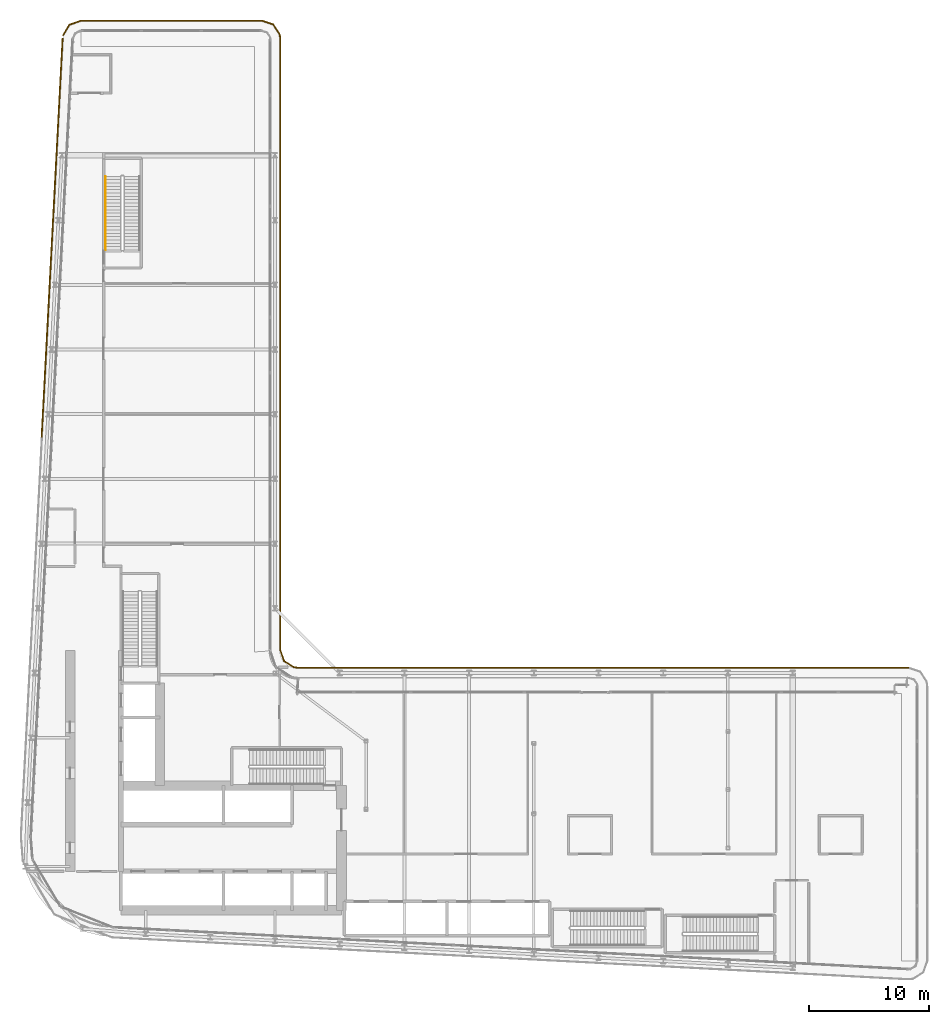
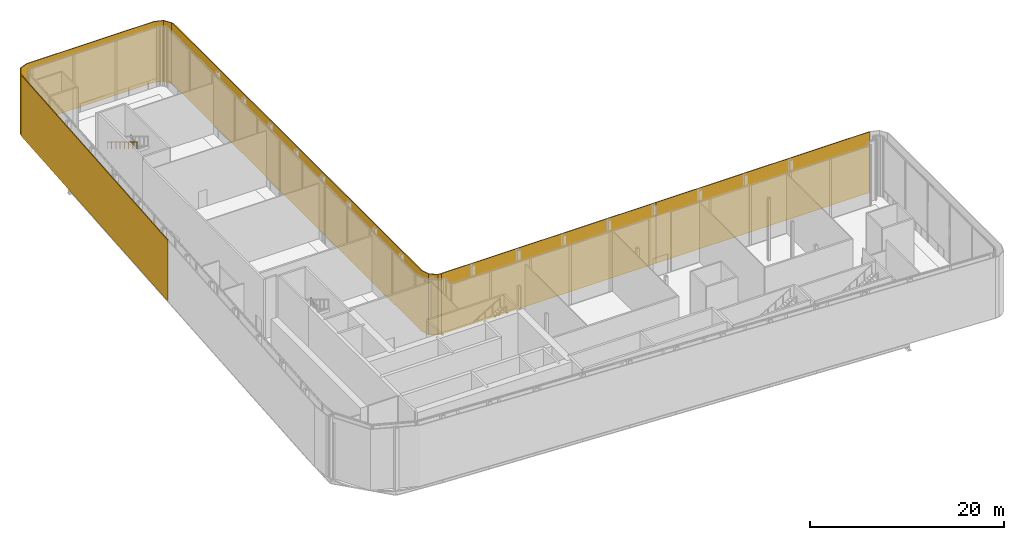
# One storey, part 35 of 37: 4 shading devices, 1 railing.
"""IFC4 building model written with IfcOpenShell, lengths in metres."""

from ifc_helpers import new_model, si_unit, direction, frame, origin, origin_2d, place, context, subcontext, project, spatial, polyline, rectangle, circle, outline, extrude, material, layer, layer_set, type_object, element, save


model = new_model("IFC4")

# Units and contexts
model_context = context("Model", 3, precision=1e-05, world=origin(), true_north=direction((0.0, 1.0)))
body_context = subcontext(model_context, "Body", "Model", "MODEL_VIEW")
ifc_project = project(units=[si_unit("LENGTHUNIT", "METRE"), si_unit("AREAUNIT", "SQUARE_METRE"), si_unit("VOLUMEUNIT", "CUBIC_METRE"), si_unit("PLANEANGLEUNIT", "RADIAN"), si_unit("MASSUNIT", "GRAM", prefix="KILO")], contexts=[model_context])

# Site, building, storey
site_placement = place(None, origin())
site = spatial("IfcSite", under=ifc_project, at=site_placement, CompositionType="ELEMENT")
building_placement = place(site_placement, origin())
building = spatial("IfcBuilding", under=site, at=building_placement, Name="Kheshtan School and Residences Tower", CompositionType="ELEMENT")
storey_placement = place(building_placement, frame((0.0, 0.0, 144.800048828125)))
storey = spatial("IfcBuildingStorey", under=building, at=storey_placement, Name="L34", CompositionType="ELEMENT", Elevation=144.800048828125)

# Shading devices
ifc_material_1 = material(Name="Terracotta baguette, extruded ceramic", Category="masonry")
ifc_layer_1 = layer(ifc_material_1, 0.10009765625)
ifc_layer_set_1 = layer_set([ifc_layer_1], Name="Ledge screen, terracotta baguettes")
shading_device_type_1 = type_object("IfcShadingDeviceType", Name="Ledge screen, terracotta baguettes", PredefinedType="USERDEFINED", material=ifc_layer_set_1)
shading_device_1_placement = place(storey_placement, origin())
element("IfcShadingDevice", 1, at=shading_device_1_placement, inside=storey, type_object=shading_device_type_1, Name="Screen L34 1", ObjectType="BAGUETTE", PredefinedType="USERDEFINED", context=body_context, shape_type="SweptSolid", body=[
    extrude(outline(polyline([(29.949951171875, 98.783935546875), (30.468017578125, 99.656982421875), (31.423095703125, 100.0), (46.5, 100.0), (47.4130859375, 99.68994140625), (47.948974609375, 98.887939453125), (48.0, 98.5), (48.0, 47.5), (48.31005859375, 46.5869140625), (49.112060546875, 46.051025390625), (49.5, 46.0), (49.512939453125, 46.09912109375), (49.14794921875, 46.14697265625), (48.39404296875, 46.65087890625), (48.10009765625, 47.51708984375), (48.10009765625, 98.507080078125), (48.044921875, 98.924072265625), (47.47705078125, 99.77392578125), (46.51708984375, 100.10009765625), (31.406005859375, 100.10009765625), (30.39990234375, 99.739013671875), (29.864013671875, 98.8349609375), (29.949951171875, 98.783935546875)])), origin(), (0.0, 0.0, 1.0), 7.64990234375),
])
shading_device_2_placement = place(storey_placement, frame((28.9990234375, 81.93408203125, 0.0), z_axis=(0.0, 0.0, 1.0), x_axis=(0.052562536748, 0.998617634398, 0.0)))
element("IfcShadingDevice", 2, at=shading_device_2_placement, inside=storey, type_object=shading_device_type_1, Name="Screen L34 7", ObjectType="BAGUETTE", PredefinedType="USERDEFINED", context=body_context, shape_type="SweptSolid", body=[
    extrude(rectangle(XDim=33.341064453125, YDim=0.10009765625, at=origin_2d()), origin(), (0.0, 0.0, 1.0), 7.64990234375),
])
ifc_material_2 = material(Name="Terracotta lattice, extruded ceramic", Category="masonry")
ifc_layer_2 = layer(ifc_material_2, 0.10009765625)
ifc_layer_set_2 = layer_set([ifc_layer_2], Name="Loggia screen, terracotta lattice")
shading_device_type_2 = type_object("IfcShadingDeviceType", Name="Loggia screen, terracotta lattice", PredefinedType="USERDEFINED", material=ifc_layer_set_2)
for number, where, z_axis, x_axis, name in (
    (3, (62.25, 46.050048828125, 0.0), (0.0, 0.0, 1.0), (1.0, 0.0, 0.0), "Screen L34 2"),
    (4, (87.75, 46.050048828125, 0.0), (0.0, 0.0, 1.0), (1.0, 0.0, 0.0), "Screen L34 3"),
):
    element("IfcShadingDevice", number, at=place(storey_placement, frame(where, z_axis=z_axis, x_axis=x_axis)), inside=storey, type_object=shading_device_type_2, Name=name, ObjectType="SCREEN", PredefinedType="USERDEFINED", context=body_context, shape_type="SweptSolid", body=[
        extrude(rectangle(XDim=25.5, YDim=0.10009765625, at=origin_2d()), origin(), (0.0, 0.0, 1.0), 7.64990234375),
    ])

# Railing
ifc_material_3 = material(Name="Stainless steel handrail", Category="steel")
railing_type = type_object("IfcRailingType", Name="Stair handrail 900", PredefinedType="HANDRAIL", material=ifc_material_3)
railing_placement = place(storey_placement, frame((33.449951171875, 87.06005859375, 4.069580078125)))
element("IfcRailing", 5, at=railing_placement, inside=storey, type_object=railing_type, Name="L34 ST3 stair handrail 2", PredefinedType="HANDRAIL", context=body_context, shape_type="SweptSolid", body=[
    extrude(circle(Radius=0.02392578125, at=origin_2d()), frame((0.0, 0.0, 0.8759765625), z_axis=(0.0, -0.855379917629, 0.518001154937), x_axis=(1.0, 0.0, 0.0)), (0.0, 0.0, 1.0), 7.20166015625),
    extrude(circle(Radius=0.02099609375, at=origin_2d()), origin(), (0.0, 0.0, 1.0), 0.851806640625),
    extrude(circle(Radius=0.02099609375, at=origin_2d()), frame((0.0, -0.880126953125, 0.532958984375)), (0.0, 0.0, 1.0), 0.851806640625),
    extrude(circle(Radius=0.02099609375, at=origin_2d()), frame((0.0, -1.760009765625, 1.06591796875)), (0.0, 0.0, 1.0), 0.851806640625),
    extrude(circle(Radius=0.02099609375, at=origin_2d()), frame((0.0, -2.64013671875, 1.598876953125)), (0.0, 0.0, 1.0), 0.851806640625),
    extrude(circle(Radius=0.02099609375, at=origin_2d()), frame((0.0, -3.52001953125, 2.131591796875)), (0.0, 0.0, 1.0), 0.851806640625),
    extrude(circle(Radius=0.02099609375, at=origin_2d()), frame((0.0, -4.400146484375, 2.66455078125)), (0.0, 0.0, 1.0), 0.851806640625),
    extrude(circle(Radius=0.02099609375, at=origin_2d()), frame((0.0, -5.280029296875, 3.197509765625)), (0.0, 0.0, 1.0), 0.851806640625),
    extrude(circle(Radius=0.02099609375, at=origin_2d()), frame((0.0, -6.16015625, 3.73046875)), (0.0, 0.0, 1.0), 0.851806640625),
])

save(model, "model.ifc")
